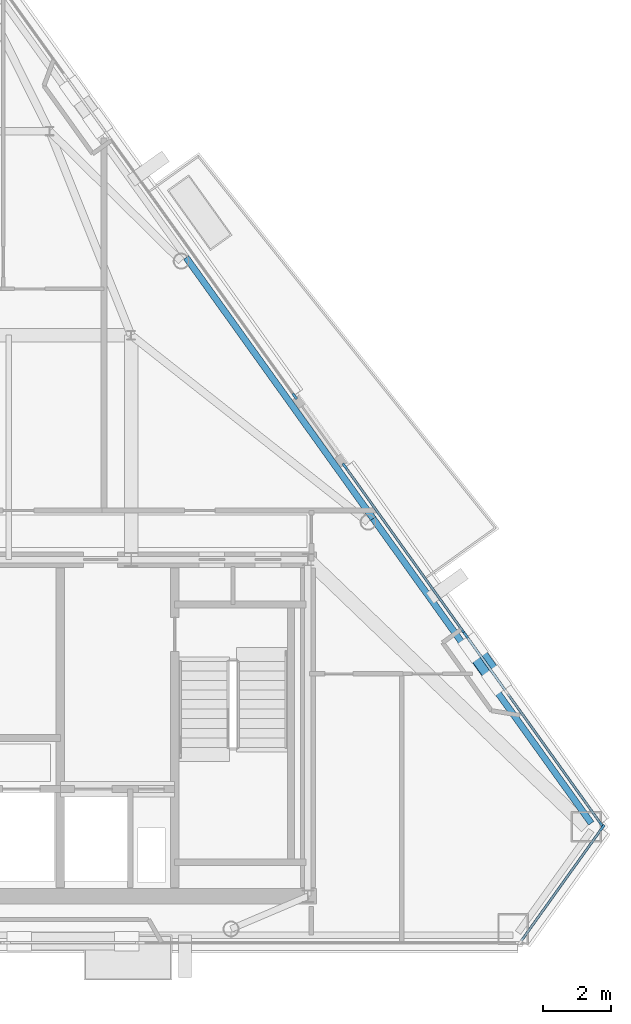
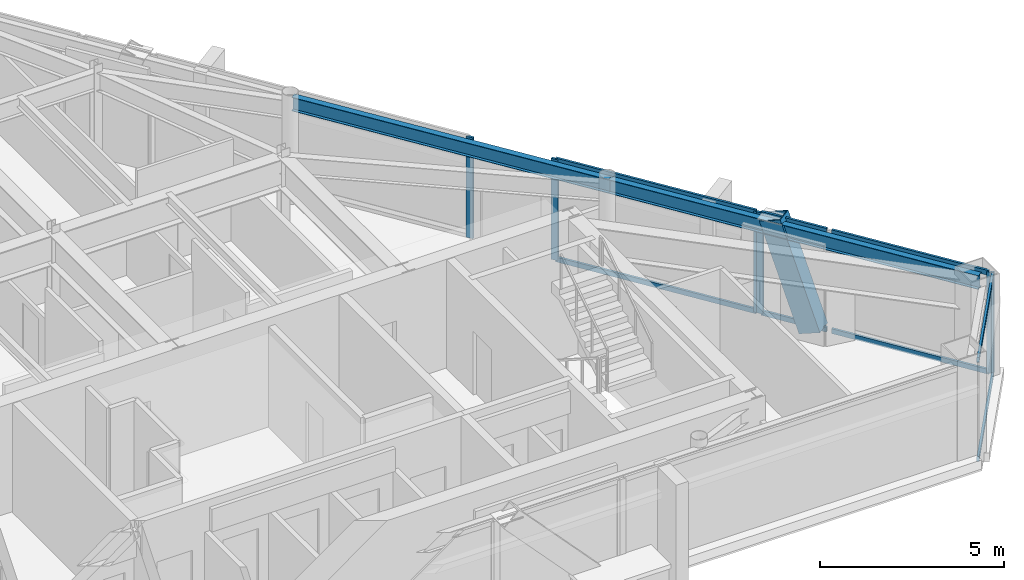
# One storey, part 6 of 12: 15 members, 2 beams, 5 elements without a shape of their own.
"""IFC4 building model written with IfcOpenShell, lengths in metres."""

import ifcopenshell
import ifcopenshell.guid

model = None  # the IFC model being written
_history = None  # IfcOwnerHistory: only IFC2X3 demands one
_inside = {}  # id of a spatial element -> (the spatial element, [elements in it])
_under = {}  # id of a project, library or spatial element -> (it, [spatial elements below it])
_declared = {}  # id of a project -> (the project, [libraries it declares])
_typed = {}  # id of a type object -> (the type object, [elements of that type])
_made_of = {}  # id of a material, layer set ... -> (it, [elements and type objects made of it])


def new_model(schema):
    """Start an empty IFC model of exactly this schema.

    Asked for "IFC4X3", IfcOpenShell would pick the latest addendum, in which some entities
    have other attributes; the version numbers below select the first issue.
    IFC2X3 requires an IfcOwnerHistory on every rooted entity: one is made here for all.
    """
    global model, _history
    if schema == "IFC4X3":
        model = ifcopenshell.file(schema_version=(4, 3, 0, 0))
    else:
        model = ifcopenshell.file(schema=schema)
    _inside.clear()
    _under.clear()
    _declared.clear()
    _typed.clear()
    _made_of.clear()
    _history = None
    if model.schema == "IFC2X3":
        org = make("IfcOrganization", Name="unknown")
        user = make(
            "IfcPersonAndOrganization",
            ThePerson=make("IfcPerson", FamilyName="unknown"),
            TheOrganization=org,
        )
        app = make(
            "IfcApplication",
            ApplicationDeveloper=org,
            Version="unknown",
            ApplicationFullName="unknown",
            ApplicationIdentifier="unknown",
        )
        _history = make(
            "IfcOwnerHistory",
            OwningUser=user,
            OwningApplication=app,
            ChangeAction="ADDED",
            CreationDate=0,
        )
    return model


def make(cls, **values):
    """One entity of the class cls with the attributes given. An attribute that is None is left unset."""
    return model.create_entity(
        cls, **{name: value for name, value in values.items() if value is not None}
    )


def rooted(cls, **values):
    """An entity with a GlobalId (a new one), such as an element, a storey or a relation."""
    return make(cls, GlobalId=ifcopenshell.guid.new(), OwnerHistory=_history, **values)


def si_unit(unit_type, name, prefix=None):
    """IfcSIUnit, for example si_unit("LENGTHUNIT", "METRE", prefix="MILLI")."""
    return make("IfcSIUnit", UnitType=unit_type, Prefix=prefix, Name=name)


def assignment(units):
    """IfcUnitAssignment: the units of a project."""
    return None if units is None else make("IfcUnitAssignment", Units=units)


def point(xyz):
    """IfcCartesianPoint."""
    return None if xyz is None else make("IfcCartesianPoint", Coordinates=xyz)


def direction(xyz):
    """IfcDirection."""
    return None if xyz is None else make("IfcDirection", DirectionRatios=xyz)


def frame(location, z_axis=None, x_axis=None):
    """IfcAxis2Placement3D, a coordinate frame: its origin and axes. An axis left out is left unset."""
    return make(
        "IfcAxis2Placement3D",
        Location=point(location),
        Axis=direction(z_axis),
        RefDirection=direction(x_axis),
    )


def frame_2d(location, x_axis=None):
    """IfcAxis2Placement2D, a coordinate frame in the plane: its origin and x axis."""
    return make(
        "IfcAxis2Placement2D", Location=point(location), RefDirection=direction(x_axis)
    )


def origin():
    """The frame at (0, 0, 0) with its axes left unset."""
    return frame((0.0, 0.0, 0.0))


def origin_2d():
    """The frame at (0, 0) in the plane with its x axis left unset."""
    return frame_2d((0.0, 0.0))


def place(relative_to, where):
    """IfcLocalPlacement: puts the frame where relative to a parent placement (None: the world)."""
    return make(
        "IfcLocalPlacement", PlacementRelTo=relative_to, RelativePlacement=where
    )


def context(
    kind, dimensions, precision=None, world=None, true_north=None, identifier=None
):
    """IfcGeometricRepresentationContext, for example the 3D "Model" context."""
    return make(
        "IfcGeometricRepresentationContext",
        ContextIdentifier=identifier,
        ContextType=kind,
        CoordinateSpaceDimension=dimensions,
        Precision=precision,
        WorldCoordinateSystem=world,
        TrueNorth=true_north,
    )


def subcontext(parent, identifier, kind, view, scale=None):
    """IfcGeometricRepresentationSubContext, for example "Body" below "Model"."""
    return make(
        "IfcGeometricRepresentationSubContext",
        ContextIdentifier=identifier,
        ContextType=kind,
        ParentContext=parent,
        TargetScale=scale,
        TargetView=view,
    )


def project(units=None, contexts=None):
    """IfcProject with its units and contexts."""
    return rooted(
        "IfcProject",
        Name="project",
        RepresentationContexts=contexts,
        UnitsInContext=assignment(units),
    )


def spatial(cls, under=None, at=None, **own):
    """A site, building, storey or space (cls), placed at a placement, below another one or the project."""
    s = rooted(cls, ObjectPlacement=at, **own)
    if under is not None:
        _under.setdefault(under.id(), (under, []))[1].append(s)
    return s


def profile(cls, at=None, kind="AREA", **sizes):
    """A parametric profile (cls). Its sizes go by their IFC names, for example OverallWidth=200.0."""
    return make(cls, ProfileType=kind, Position=at, **sizes)


def rectangle(**sizes):
    """IfcRectangleProfileDef."""
    return profile("IfcRectangleProfileDef", **sizes)


def hollow_rectangle(**sizes):
    """IfcRectangleHollowProfileDef."""
    return profile("IfcRectangleHollowProfileDef", **sizes)


def i_section(**sizes):
    """IfcIShapeProfileDef."""
    return profile("IfcIShapeProfileDef", **sizes)


def extrude(swept, where, along, depth):
    """IfcExtrudedAreaSolid: the profile swept, set in the frame where, extruded along a direction by depth."""
    return make(
        "IfcExtrudedAreaSolid",
        SweptArea=swept,
        Position=where,
        ExtrudedDirection=direction(along),
        Depth=depth,
    )


def shape(context_of_items, identifier, shape_type, items):
    """IfcShapeRepresentation: the items that make up one representation, for example the "Body"."""
    return make(
        "IfcShapeRepresentation",
        ContextOfItems=context_of_items,
        RepresentationIdentifier=identifier,
        RepresentationType=shape_type,
        Items=items,
    )


def material(Name=None, Category=None):
    """IfcMaterial."""
    return make("IfcMaterial", Name=Name, Category=Category)


def layer(
    of_material, thickness, ventilated=None, Name=None, Category=None, Priority=None
):
    """IfcMaterialLayer: one layer of a wall or slab, of a material (None: an air gap)."""
    return make(
        "IfcMaterialLayer",
        Material=of_material,
        LayerThickness=thickness,
        IsVentilated=ventilated,
        Name=Name,
        Category=Category,
        Priority=Priority,
    )


def layer_set(layers, Name=None):
    """IfcMaterialLayerSet."""
    return make("IfcMaterialLayerSet", MaterialLayers=layers, LayerSetName=Name)


def material_profile(
    of_material, cross_section, Name=None, Category=None, Priority=None
):
    """IfcMaterialProfile: a cross section and its material."""
    return make(
        "IfcMaterialProfile",
        Name=Name,
        Material=of_material,
        Profile=cross_section,
        Priority=Priority,
        Category=Category,
    )


def profile_set(profiles, Name=None, composite=None):
    """IfcMaterialProfileSet."""
    return make(
        "IfcMaterialProfileSet",
        Name=Name,
        MaterialProfiles=profiles,
        CompositeProfile=composite,
    )


def made_of(thing, what):
    """Note that an element or type object is made of a material, layer set ...; save() writes the relation."""
    if what is not None:
        _made_of.setdefault(what.id(), (what, []))[1].append(thing)
    return thing


def type_object(cls, material=None, **own):
    """A type object (cls), such as IfcWallType, which elements share."""
    return made_of(rooted(cls, **own), material)


def element(
    cls,
    number,
    at=None,
    inside=None,
    cuts=None,
    type_object=None,
    material=None,
    context=None,
    identifier="Body",
    shape_type=None,
    held_by="IfcProductDefinitionShape",
    body=None,
    shapes=None,
    **own,
):
    """One element of the class cls, such as IfcWall. Its Tag is "e" and its number.

    at: its placement. inside: the storey or other place that contains it. cuts: it is an
    opening in that element (IfcRelVoidsElement). A single representation is given by context,
    identifier, shape_type and body (its items); several are given by shapes. held_by: the class
    of the entity that holds the representations. save() writes the other relations.
    """
    e = rooted(cls, Tag="e%d" % number, ObjectPlacement=at, **own)
    if body is not None:
        shapes = [shape(context, identifier, shape_type, body)]
    if shapes is not None:
        e.Representation = make(held_by, Representations=shapes)
    if inside is not None:
        _inside.setdefault(inside.id(), (inside, []))[1].append(e)
    if cuts is not None:
        rooted(
            "IfcRelVoidsElement", RelatingBuildingElement=cuts, RelatedOpeningElement=e
        )
    if type_object is not None:
        _typed.setdefault(type_object.id(), (type_object, []))[1].append(e)
    return made_of(e, material)


def aggregate(whole, parts):
    """IfcRelAggregates: a whole, such as a stair, and the parts it consists of."""
    return rooted("IfcRelAggregates", RelatingObject=whole, RelatedObjects=parts)


def save(model, path):
    """Write the relations noted so far, then the file.

    IfcRelAggregates (storeys below a building ...), IfcRelContainedInSpatialStructure (elements
    in a storey), IfcRelDefinesByType, IfcRelAssociatesMaterial and IfcRelDeclares: one each for
    every whole, place, type object, material and project.
    """
    for whole, parts in _under.values():
        aggregate(whole, parts)
    for where, things in _inside.values():
        rooted(
            "IfcRelContainedInSpatialStructure",
            RelatedElements=things,
            RelatingStructure=where,
        )
    for kind, things in _typed.values():
        rooted("IfcRelDefinesByType", RelatedObjects=things, RelatingType=kind)
    for what, things in _made_of.values():
        rooted("IfcRelAssociatesMaterial", RelatedObjects=things, RelatingMaterial=what)
    for by, libraries in _declared.values():
        rooted("IfcRelDeclares", RelatingContext=by, RelatedDefinitions=libraries)
    model.write(path)


model = new_model("IFC4")

# Units and contexts
model_context = context("Model", 3, precision=1e-05, world=origin(), true_north=direction((0.0, 1.0)))
body_context = subcontext(model_context, "Body", "Model", "MODEL_VIEW")
ifc_project = project(units=[si_unit("LENGTHUNIT", "METRE"), si_unit("AREAUNIT", "SQUARE_METRE"), si_unit("VOLUMEUNIT", "CUBIC_METRE"), si_unit("PLANEANGLEUNIT", "RADIAN"), si_unit("MASSUNIT", "GRAM", prefix="KILO")], contexts=[model_context])

# Site, building, storey
site_placement = place(None, origin())
site = spatial("IfcSite", under=ifc_project, at=site_placement, CompositionType="ELEMENT")
building_placement = place(site_placement, origin())
building = spatial("IfcBuilding", under=site, at=building_placement, Name="Talgorran Terracotta Tower", CompositionType="ELEMENT")
storey_placement = place(building_placement, frame((0.0, 0.0, 256.199951171875)))
storey = spatial("IfcBuildingStorey", under=building, at=storey_placement, Name="L67", CompositionType="ELEMENT", Elevation=256.199951171875)

# Beams
ifc_material_1 = material(Name="Steel S355 (300PLUS)", Category="steel")
ifc_material_profile_1 = material_profile(ifc_material_1, i_section(OverallWidth=0.18994140625, OverallDepth=0.45703125, WebThickness=0.009033203125, FlangeThickness=0.014404296875, at=origin_2d()), Name="460UB74.6")
ifc_profile_set_1 = profile_set([ifc_material_profile_1], Name="Steel S355 (300PLUS)")
beam_type = type_object("IfcBeamType", Name="BM_SP_460UB74", PredefinedType="SPANDREL", material=ifc_profile_set_1)
beam_1_placement = place(storey_placement, frame((20.7314453125, -11.951904296875, 3.116455078125), z_axis=(-0.58220828918, 0.813039671855, 0.0), x_axis=(-0.813039671855, -0.58220828918, 0.0)))
element("IfcBeam", 1, at=beam_1_placement, inside=storey, type_object=beam_type, Name="L67 Perimeter Spandrel Beam MC4-FC3", PredefinedType="SPANDREL", context=body_context, shape_type="SweptSolid", body=[
    extrude(i_section(OverallWidth=0.18994140625, OverallDepth=0.45703125, WebThickness=0.009033203125, FlangeThickness=0.014404296875, at=origin_2d()), origin(), (0.0, 0.0, 1.0), 11.017578125),
])
beam_2_placement = place(storey_placement, frame((14.31689453125, -2.994140625, 3.116455078125), z_axis=(-0.582203768418, 0.813042909102, 0.0), x_axis=(-0.813042909102, -0.582203768418, 0.0)))
element("IfcBeam", 2, at=beam_2_placement, inside=storey, type_object=beam_type, Name="L67 Perimeter Spandrel Beam FC3-FC4", PredefinedType="SPANDREL", context=body_context, shape_type="SweptSolid", body=[
    extrude(i_section(OverallWidth=0.18994140625, OverallDepth=0.45703125, WebThickness=0.009033203125, FlangeThickness=0.014404296875, at=origin_2d()), origin(), (0.0, 0.0, 1.0), 9.443603515625),
])

# Member
ifc_material_2 = material(Name="Steel Grade 350 (350L0)", Category="steel")
ifc_material_profile_2 = material_profile(ifc_material_2, hollow_rectangle(XDim=0.52001953125, YDim=0.659912109375, WallThickness=0.034912109375, at=origin_2d()), Name="WBOX660X520X35")
ifc_profile_set_2 = profile_set([ifc_material_profile_2], Name="Steel Grade 350 (350L0)")
member_type_1 = type_object("IfcMemberType", Name="MB_MEGA_660", PredefinedType="BRACE", material=ifc_profile_set_2)
member_1_placement = place(storey_placement, frame((17.94287109375, -7.748291015625, -0.02490234375), z_axis=(-0.191327072159, 0.267124378701, 0.944477907504), x_axis=(-0.812978584989, -0.582293586045, 0.0)))
element("IfcMember", 3, at=member_1_placement, inside=storey, type_object=member_type_1, Name="L67 Exterior Face Mega-Brace MB-3 (NEL)", PredefinedType="BRACE", context=body_context, shape_type="SweptSolid", body=[
    extrude(hollow_rectangle(XDim=0.52001953125, YDim=0.659912109375, WallThickness=0.034912109375, at=origin_2d()), origin(), (0.0, 0.0, 1.0), 3.594482421875),
])

# Curtain wall, member
ifc_material_3 = material(Name="High-Wind Unitised Glazing", Category="glass")
ifc_layer = layer(ifc_material_3, 0.2099609375, Name="CW_SYS3_RES_HIGH")
ifc_layer_set = layer_set([ifc_layer], Name="High-Wind Unitised Glazing")
curtain_wall_type = type_object("IfcCurtainWallType", Name="CW_SYS3_RES_HIGH", PredefinedType="NOTDEFINED", material=ifc_layer_set)
curtain_wall_1_placement = place(storey_placement, origin())
curtain_wall_1 = element("IfcCurtainWall", 4, at=curtain_wall_1_placement, inside=storey, type_object=curtain_wall_type, Name="CW-L67-F2", PredefinedType="NOTDEFINED")
ifc_material_4 = material(Name="Architectural Aluminium 6063-T6", Category="aluminium")
ifc_material_profile_3 = material_profile(ifc_material_4, rectangle(XDim=0.070068359375, YDim=0.199951171875, at=origin_2d()), Name="CWM70X200")
ifc_profile_set_3 = profile_set([ifc_material_profile_3], Name="Architectural Aluminium 6063-T6")
member_type_2 = type_object("IfcMemberType", Name="MUL_70X200", PredefinedType="MULLION", material=ifc_profile_set_3)
member_2_placement = place(storey_placement, frame((21.056640625, -12.085205078125, 0.0), z_axis=(0.0, 0.0, 1.0), x_axis=(-0.813031401137, 0.582219838862, 0.0)))
member_2 = element("IfcMember", 5, at=member_2_placement, type_object=member_type_2, Name="CW-L67-2 mullion 2", PredefinedType="MULLION", context=body_context, shape_type="SweptSolid", body=[
    extrude(rectangle(XDim=0.070068359375, YDim=0.199951171875, at=origin_2d()), origin(), (0.0, 0.0, 1.0), 3.344970703125),
])

curtain_wall_2_placement = place(storey_placement, origin())
curtain_wall_2 = element("IfcCurtainWall", 6, at=curtain_wall_2_placement, inside=storey, type_object=curtain_wall_type, Name="CW-L67-F40", PredefinedType="NOTDEFINED")
member_3_placement = place(storey_placement, frame((21.033447265625, -11.995849609375, 0.0), z_axis=(0.0, 0.0, 1.0), x_axis=(-0.813037722593, -0.582211011267, 0.0)))
member_3 = element("IfcMember", 7, at=member_3_placement, type_object=member_type_2, Name="CW-L67-40 mullion 1", PredefinedType="MULLION", context=body_context, shape_type="SweptSolid", body=[
    extrude(rectangle(XDim=0.070068359375, YDim=0.199951171875, at=origin_2d()), origin(), (0.0, 0.0, 1.0), 3.344970703125),
])

curtain_wall_3_placement = place(storey_placement, origin())
curtain_wall_3 = element("IfcCurtainWall", 8, at=curtain_wall_3_placement, inside=storey, type_object=curtain_wall_type, Name="CW-L67-F40B", PredefinedType="NOTDEFINED")
member_4_placement = place(storey_placement, frame((17.042236328125, -6.422119140625, 0.0), z_axis=(0.0, 0.0, 1.0), x_axis=(-0.813029580592, -0.582222381125, 0.0)))
member_4 = element("IfcMember", 9, at=member_4_placement, type_object=member_type_2, Name="CW-L67-40B mullion 2", PredefinedType="MULLION", context=body_context, shape_type="SweptSolid", body=[
    extrude(rectangle(XDim=0.070068359375, YDim=0.199951171875, at=origin_2d()), origin(), (0.0, 0.0, 1.0), 3.344970703125),
])

# Curtain wall, members
curtain_wall_4_placement = place(storey_placement, origin())
curtain_wall_4 = element("IfcCurtainWall", 10, at=curtain_wall_4_placement, inside=storey, type_object=curtain_wall_type, Name="CW-L67-F40C", PredefinedType="NOTDEFINED")
member_5_placement = place(storey_placement, frame((16.99560546875, -6.35693359375, 0.0), z_axis=(0.0, 0.0, 1.0), x_axis=(-0.813045114286, -0.582200688882, 0.0)))
member_5 = element("IfcMember", 11, at=member_5_placement, type_object=member_type_2, Name="CW-L67-40C mullion 1", PredefinedType="MULLION", context=body_context, shape_type="SweptSolid", body=[
    extrude(rectangle(XDim=0.070068359375, YDim=0.199951171875, at=origin_2d()), origin(), (0.0, 0.0, 1.0), 3.344970703125),
])
member_6_placement = place(storey_placement, frame((13.484619140625, -1.453857421875, 0.0), z_axis=(0.0, 0.0, 1.0), x_axis=(-0.813045114286, -0.582200688882, 0.0)))
member_6 = element("IfcMember", 12, at=member_6_placement, type_object=member_type_2, Name="CW-L67-40C mullion 2", PredefinedType="MULLION", context=body_context, shape_type="SweptSolid", body=[
    extrude(rectangle(XDim=0.070068359375, YDim=0.199951171875, at=origin_2d()), origin(), (0.0, 0.0, 1.0), 3.344970703125),
])

# Curtain wall, member
curtain_wall_5_placement = place(storey_placement, origin())
curtain_wall_5 = element("IfcCurtainWall", 13, at=curtain_wall_5_placement, inside=storey, type_object=curtain_wall_type, Name="CW-L67-F41", PredefinedType="NOTDEFINED")
member_7_placement = place(storey_placement, frame((12.011474609375, 0.603271484375, 0.0), z_axis=(0.0, 0.0, 1.0), x_axis=(-0.813042039297, -0.58220498309, 0.0)))
member_7 = element("IfcMember", 14, at=member_7_placement, type_object=member_type_2, Name="CW-L67-41 mullion 1", PredefinedType="MULLION", context=body_context, shape_type="SweptSolid", body=[
    extrude(rectangle(XDim=0.070068359375, YDim=0.199951171875, at=origin_2d()), origin(), (0.0, 0.0, 1.0), 3.344970703125),
])
aggregate(curtain_wall_5, [member_7])

# Member
ifc_material_profile_4 = material_profile(ifc_material_4, rectangle(XDim=0.070068359375, YDim=0.159912109375, at=origin_2d()), Name="CWT70X160")
ifc_profile_set_4 = profile_set([ifc_material_profile_4], Name="Architectural Aluminium 6063-T6")
member_type_3 = type_object("IfcMemberType", Name="TRN_70X160", PredefinedType="USERDEFINED", material=ifc_profile_set_4)
member_8_placement = place(storey_placement, frame((18.678466796875, -15.406494140625, 0.03515625), z_axis=(0.582184359595, 0.813056807021, 0.0), x_axis=(-0.813056807021, 0.582184359595, 0.0)))
member_8 = element("IfcMember", 15, at=member_8_placement, type_object=member_type_3, Name="CW-L67-2 transom 1.1", ObjectType="TRANSOM", PredefinedType="USERDEFINED", context=body_context, shape_type="SweptSolid", body=[
    extrude(rectangle(XDim=0.070068359375, YDim=0.159912109375, at=origin_2d()), origin(), (0.0, 0.0, 1.0), 4.050048828125),
])

member_9_placement = place(storey_placement, frame((18.678466796875, -15.406494140625, 3.31005859375), z_axis=(0.582184359595, 0.813056807021, 0.0), x_axis=(-0.813056807021, 0.582184359595, 0.0)))
member_9 = element("IfcMember", 16, at=member_9_placement, type_object=member_type_3, Name="CW-L67-2 transom 1.2", ObjectType="TRANSOM", PredefinedType="USERDEFINED", context=body_context, shape_type="SweptSolid", body=[
    extrude(rectangle(XDim=0.070068359375, YDim=0.159912109375, at=origin_2d()), origin(), (0.0, 0.0, 1.0), 4.050048828125),
])

aggregate(curtain_wall_1, [member_2, member_8, member_9])

member_10_placement = place(storey_placement, frame((21.012939453125, -11.96728515625, 0.03515625), z_axis=(-0.582194973518, 0.813049206881, 0.0), x_axis=(-0.813049206881, -0.582194973518, 0.0)))
member_10 = element("IfcMember", 17, at=member_10_placement, type_object=member_type_3, Name="CW-L67-40 transom 1.1", ObjectType="TRANSOM", PredefinedType="USERDEFINED", context=body_context, shape_type="SweptSolid", body=[
    extrude(rectangle(XDim=0.070068359375, YDim=0.159912109375, at=origin_2d()), origin(), (0.0, 0.0, 1.0), 4.6806640625),
])

member_11_placement = place(storey_placement, frame((21.012939453125, -11.96728515625, 3.31005859375), z_axis=(-0.582194973518, 0.813049206881, 0.0), x_axis=(-0.813049206881, -0.582194973518, 0.0)))
member_11 = element("IfcMember", 18, at=member_11_placement, type_object=member_type_3, Name="CW-L67-40 transom 1.2", ObjectType="TRANSOM", PredefinedType="USERDEFINED", context=body_context, shape_type="SweptSolid", body=[
    extrude(rectangle(XDim=0.070068359375, YDim=0.159912109375, at=origin_2d()), origin(), (0.0, 0.0, 1.0), 4.6806640625),
])

aggregate(curtain_wall_2, [member_3, member_10, member_11])

member_12_placement = place(storey_placement, frame((18.200439453125, -8.03955078125, 0.03515625), z_axis=(-0.582206680135, 0.813040824071, 0.0), x_axis=(-0.813040824071, -0.582206680135, 0.0)))
member_12 = element("IfcMember", 19, at=member_12_placement, type_object=member_type_3, Name="CW-L67-40B transom 1.1", ObjectType="TRANSOM", PredefinedType="USERDEFINED", context=body_context, shape_type="SweptSolid", body=[
    extrude(rectangle(XDim=0.070068359375, YDim=0.159912109375, at=origin_2d()), origin(), (0.0, 0.0, 1.0), 1.95458984375),
])

member_13_placement = place(storey_placement, frame((18.200439453125, -8.03955078125, 3.31005859375), z_axis=(-0.582206680135, 0.813040824071, 0.0), x_axis=(-0.813040824071, -0.582206680135, 0.0)))
member_13 = element("IfcMember", 20, at=member_13_placement, type_object=member_type_3, Name="CW-L67-40B transom 1.2", ObjectType="TRANSOM", PredefinedType="USERDEFINED", context=body_context, shape_type="SweptSolid", body=[
    extrude(rectangle(XDim=0.070068359375, YDim=0.159912109375, at=origin_2d()), origin(), (0.0, 0.0, 1.0), 1.95458984375),
])

aggregate(curtain_wall_3, [member_4, member_12, member_13])

member_14_placement = place(storey_placement, frame((16.975341796875, -6.32861328125, 0.03515625), z_axis=(-0.58222575189, 0.813027166727, 0.0), x_axis=(-0.813027166727, -0.58222575189, 0.0)))
member_14 = element("IfcMember", 21, at=member_14_placement, type_object=member_type_3, Name="CW-L67-40C transom 1.1", ObjectType="TRANSOM", PredefinedType="USERDEFINED", context=body_context, shape_type="SweptSolid", body=[
    extrude(rectangle(XDim=0.070068359375, YDim=0.159912109375, at=origin_2d()), origin(), (0.0, 0.0, 1.0), 5.960693359375),
])

member_15_placement = place(storey_placement, frame((16.975341796875, -6.32861328125, 3.31005859375), z_axis=(-0.58222575189, 0.813027166727, 0.0), x_axis=(-0.813027166727, -0.58222575189, 0.0)))
member_15 = element("IfcMember", 22, at=member_15_placement, type_object=member_type_3, Name="CW-L67-40C transom 1.2", ObjectType="TRANSOM", PredefinedType="USERDEFINED", context=body_context, shape_type="SweptSolid", body=[
    extrude(rectangle(XDim=0.070068359375, YDim=0.159912109375, at=origin_2d()), origin(), (0.0, 0.0, 1.0), 5.960693359375),
])

aggregate(curtain_wall_4, [member_5, member_6, member_14, member_15])

save(model, "model.ifc")
